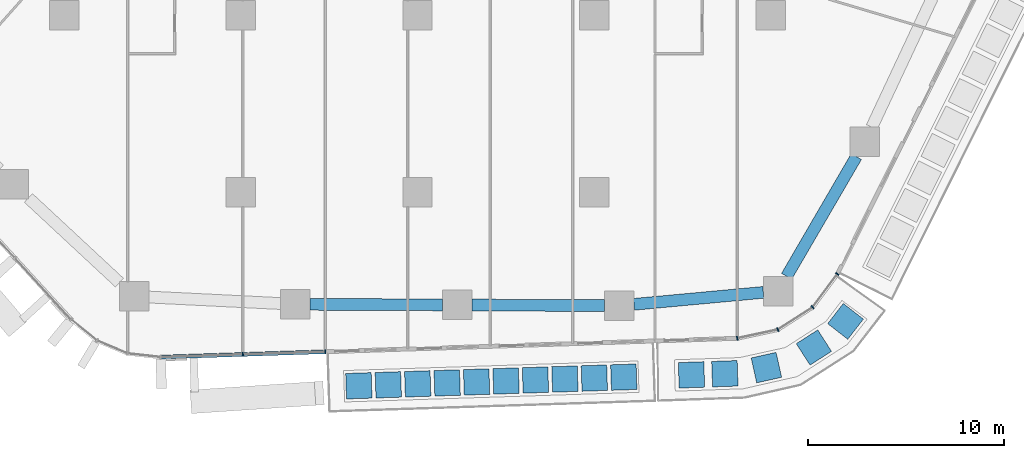
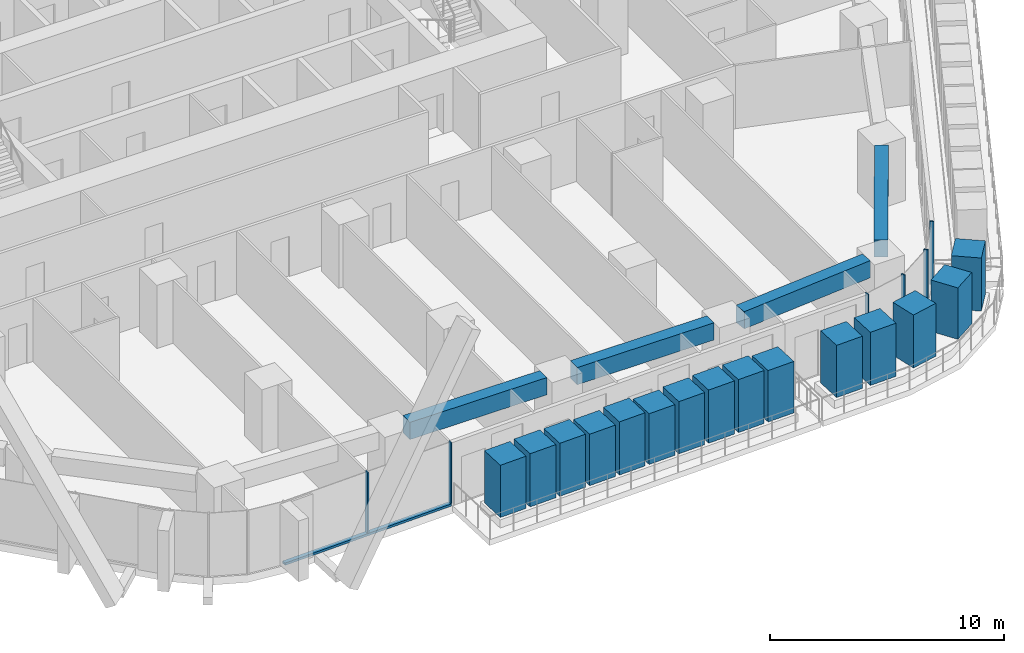
# One storey, part 5 of 27: 22 members, 4 beams, 2 elements without a shape of their own.
"""IFC4 building model written with IfcOpenShell, lengths in metres."""

import ifcopenshell
import ifcopenshell.guid

model = None  # the IFC model being written
_history = None  # IfcOwnerHistory: only IFC2X3 demands one
_inside = {}  # id of a spatial element -> (the spatial element, [elements in it])
_under = {}  # id of a project, library or spatial element -> (it, [spatial elements below it])
_declared = {}  # id of a project -> (the project, [libraries it declares])
_typed = {}  # id of a type object -> (the type object, [elements of that type])
_made_of = {}  # id of a material, layer set ... -> (it, [elements and type objects made of it])


def new_model(schema):
    """Start an empty IFC model of exactly this schema.

    Asked for "IFC4X3", IfcOpenShell would pick the latest addendum, in which some entities
    have other attributes; the version numbers below select the first issue.
    IFC2X3 requires an IfcOwnerHistory on every rooted entity: one is made here for all.
    """
    global model, _history
    if schema == "IFC4X3":
        model = ifcopenshell.file(schema_version=(4, 3, 0, 0))
    else:
        model = ifcopenshell.file(schema=schema)
    _inside.clear()
    _under.clear()
    _declared.clear()
    _typed.clear()
    _made_of.clear()
    _history = None
    if model.schema == "IFC2X3":
        org = make("IfcOrganization", Name="unknown")
        user = make(
            "IfcPersonAndOrganization",
            ThePerson=make("IfcPerson", FamilyName="unknown"),
            TheOrganization=org,
        )
        app = make(
            "IfcApplication",
            ApplicationDeveloper=org,
            Version="unknown",
            ApplicationFullName="unknown",
            ApplicationIdentifier="unknown",
        )
        _history = make(
            "IfcOwnerHistory",
            OwningUser=user,
            OwningApplication=app,
            ChangeAction="ADDED",
            CreationDate=0,
        )
    return model


def make(cls, **values):
    """One entity of the class cls with the attributes given. An attribute that is None is left unset."""
    return model.create_entity(
        cls, **{name: value for name, value in values.items() if value is not None}
    )


def rooted(cls, **values):
    """An entity with a GlobalId (a new one), such as an element, a storey or a relation."""
    return make(cls, GlobalId=ifcopenshell.guid.new(), OwnerHistory=_history, **values)


def si_unit(unit_type, name, prefix=None):
    """IfcSIUnit, for example si_unit("LENGTHUNIT", "METRE", prefix="MILLI")."""
    return make("IfcSIUnit", UnitType=unit_type, Prefix=prefix, Name=name)


def assignment(units):
    """IfcUnitAssignment: the units of a project."""
    return None if units is None else make("IfcUnitAssignment", Units=units)


def point(xyz):
    """IfcCartesianPoint."""
    return None if xyz is None else make("IfcCartesianPoint", Coordinates=xyz)


def direction(xyz):
    """IfcDirection."""
    return None if xyz is None else make("IfcDirection", DirectionRatios=xyz)


def frame(location, z_axis=None, x_axis=None):
    """IfcAxis2Placement3D, a coordinate frame: its origin and axes. An axis left out is left unset."""
    return make(
        "IfcAxis2Placement3D",
        Location=point(location),
        Axis=direction(z_axis),
        RefDirection=direction(x_axis),
    )


def frame_2d(location, x_axis=None):
    """IfcAxis2Placement2D, a coordinate frame in the plane: its origin and x axis."""
    return make(
        "IfcAxis2Placement2D", Location=point(location), RefDirection=direction(x_axis)
    )


def origin():
    """The frame at (0, 0, 0) with its axes left unset."""
    return frame((0.0, 0.0, 0.0))


def origin_2d():
    """The frame at (0, 0) in the plane with its x axis left unset."""
    return frame_2d((0.0, 0.0))


def place(relative_to, where):
    """IfcLocalPlacement: puts the frame where relative to a parent placement (None: the world)."""
    return make(
        "IfcLocalPlacement", PlacementRelTo=relative_to, RelativePlacement=where
    )


def context(
    kind, dimensions, precision=None, world=None, true_north=None, identifier=None
):
    """IfcGeometricRepresentationContext, for example the 3D "Model" context."""
    return make(
        "IfcGeometricRepresentationContext",
        ContextIdentifier=identifier,
        ContextType=kind,
        CoordinateSpaceDimension=dimensions,
        Precision=precision,
        WorldCoordinateSystem=world,
        TrueNorth=true_north,
    )


def subcontext(parent, identifier, kind, view, scale=None):
    """IfcGeometricRepresentationSubContext, for example "Body" below "Model"."""
    return make(
        "IfcGeometricRepresentationSubContext",
        ContextIdentifier=identifier,
        ContextType=kind,
        ParentContext=parent,
        TargetScale=scale,
        TargetView=view,
    )


def project(units=None, contexts=None):
    """IfcProject with its units and contexts."""
    return rooted(
        "IfcProject",
        Name="project",
        RepresentationContexts=contexts,
        UnitsInContext=assignment(units),
    )


def spatial(cls, under=None, at=None, **own):
    """A site, building, storey or space (cls), placed at a placement, below another one or the project."""
    s = rooted(cls, ObjectPlacement=at, **own)
    if under is not None:
        _under.setdefault(under.id(), (under, []))[1].append(s)
    return s


def profile(cls, at=None, kind="AREA", **sizes):
    """A parametric profile (cls). Its sizes go by their IFC names, for example OverallWidth=200.0."""
    return make(cls, ProfileType=kind, Position=at, **sizes)


def rectangle(**sizes):
    """IfcRectangleProfileDef."""
    return profile("IfcRectangleProfileDef", **sizes)


def extrude(swept, where, along, depth):
    """IfcExtrudedAreaSolid: the profile swept, set in the frame where, extruded along a direction by depth."""
    return make(
        "IfcExtrudedAreaSolid",
        SweptArea=swept,
        Position=where,
        ExtrudedDirection=direction(along),
        Depth=depth,
    )


def shape(context_of_items, identifier, shape_type, items):
    """IfcShapeRepresentation: the items that make up one representation, for example the "Body"."""
    return make(
        "IfcShapeRepresentation",
        ContextOfItems=context_of_items,
        RepresentationIdentifier=identifier,
        RepresentationType=shape_type,
        Items=items,
    )


def material(Name=None, Category=None):
    """IfcMaterial."""
    return make("IfcMaterial", Name=Name, Category=Category)


def layer(
    of_material, thickness, ventilated=None, Name=None, Category=None, Priority=None
):
    """IfcMaterialLayer: one layer of a wall or slab, of a material (None: an air gap)."""
    return make(
        "IfcMaterialLayer",
        Material=of_material,
        LayerThickness=thickness,
        IsVentilated=ventilated,
        Name=Name,
        Category=Category,
        Priority=Priority,
    )


def layer_set(layers, Name=None):
    """IfcMaterialLayerSet."""
    return make("IfcMaterialLayerSet", MaterialLayers=layers, LayerSetName=Name)


def material_profile(
    of_material, cross_section, Name=None, Category=None, Priority=None
):
    """IfcMaterialProfile: a cross section and its material."""
    return make(
        "IfcMaterialProfile",
        Name=Name,
        Material=of_material,
        Profile=cross_section,
        Priority=Priority,
        Category=Category,
    )


def profile_set(profiles, Name=None, composite=None):
    """IfcMaterialProfileSet."""
    return make(
        "IfcMaterialProfileSet",
        Name=Name,
        MaterialProfiles=profiles,
        CompositeProfile=composite,
    )


def made_of(thing, what):
    """Note that an element or type object is made of a material, layer set ...; save() writes the relation."""
    if what is not None:
        _made_of.setdefault(what.id(), (what, []))[1].append(thing)
    return thing


def type_object(cls, material=None, **own):
    """A type object (cls), such as IfcWallType, which elements share."""
    return made_of(rooted(cls, **own), material)


def element(
    cls,
    number,
    at=None,
    inside=None,
    cuts=None,
    type_object=None,
    material=None,
    context=None,
    identifier="Body",
    shape_type=None,
    held_by="IfcProductDefinitionShape",
    body=None,
    shapes=None,
    **own,
):
    """One element of the class cls, such as IfcWall. Its Tag is "e" and its number.

    at: its placement. inside: the storey or other place that contains it. cuts: it is an
    opening in that element (IfcRelVoidsElement). A single representation is given by context,
    identifier, shape_type and body (its items); several are given by shapes. held_by: the class
    of the entity that holds the representations. save() writes the other relations.
    """
    e = rooted(cls, Tag="e%d" % number, ObjectPlacement=at, **own)
    if body is not None:
        shapes = [shape(context, identifier, shape_type, body)]
    if shapes is not None:
        e.Representation = make(held_by, Representations=shapes)
    if inside is not None:
        _inside.setdefault(inside.id(), (inside, []))[1].append(e)
    if cuts is not None:
        rooted(
            "IfcRelVoidsElement", RelatingBuildingElement=cuts, RelatedOpeningElement=e
        )
    if type_object is not None:
        _typed.setdefault(type_object.id(), (type_object, []))[1].append(e)
    return made_of(e, material)


def aggregate(whole, parts):
    """IfcRelAggregates: a whole, such as a stair, and the parts it consists of."""
    return rooted("IfcRelAggregates", RelatingObject=whole, RelatedObjects=parts)


def save(model, path):
    """Write the relations noted so far, then the file.

    IfcRelAggregates (storeys below a building ...), IfcRelContainedInSpatialStructure (elements
    in a storey), IfcRelDefinesByType, IfcRelAssociatesMaterial and IfcRelDeclares: one each for
    every whole, place, type object, material and project.
    """
    for whole, parts in _under.values():
        aggregate(whole, parts)
    for where, things in _inside.values():
        rooted(
            "IfcRelContainedInSpatialStructure",
            RelatedElements=things,
            RelatingStructure=where,
        )
    for kind, things in _typed.values():
        rooted("IfcRelDefinesByType", RelatedObjects=things, RelatingType=kind)
    for what, things in _made_of.values():
        rooted("IfcRelAssociatesMaterial", RelatedObjects=things, RelatingMaterial=what)
    for by, libraries in _declared.values():
        rooted("IfcRelDeclares", RelatingContext=by, RelatedDefinitions=libraries)
    model.write(path)


model = new_model("IFC4")

# Units and contexts
model_context = context("Model", 3, precision=1e-05, world=origin(), true_north=direction((0.0, 1.0)))
body_context = subcontext(model_context, "Body", "Model", "MODEL_VIEW")
ifc_project = project(units=[si_unit("LENGTHUNIT", "METRE"), si_unit("AREAUNIT", "SQUARE_METRE"), si_unit("VOLUMEUNIT", "CUBIC_METRE"), si_unit("PLANEANGLEUNIT", "RADIAN"), si_unit("MASSUNIT", "GRAM", prefix="KILO")], contexts=[model_context])

# Site, building, storey
site_placement = place(None, origin())
site = spatial("IfcSite", under=ifc_project, at=site_placement, CompositionType="ELEMENT")
building_placement = place(site_placement, origin())
building = spatial("IfcBuilding", under=site, at=building_placement, Name="Dongbaek Canopy Tower", CompositionType="ELEMENT")
storey_placement = place(building_placement, frame((0.0, 0.0, 62.5)))
storey = spatial("IfcBuildingStorey", under=building, at=storey_placement, Name="L11", CompositionType="ELEMENT", Elevation=62.5)

# Curtain wall, members
ifc_material_1 = material(Name="Aluminium 6063-T6 pale anodised", Category="aluminium")
ifc_layer = layer(ifc_material_1, 0.199951171875)
ifc_layer_set = layer_set([ifc_layer], Name="CW-1 unitised tower curtain wall")
curtain_wall_type = type_object("IfcCurtainWallType", Name="CW-1 unitised tower curtain wall", PredefinedType="NOTDEFINED", material=ifc_layer_set)
curtain_wall_1_placement = place(storey_placement, origin())
curtain_wall_1 = element("IfcCurtainWall", 1, at=curtain_wall_1_placement, inside=storey, type_object=curtain_wall_type, Name="CW-1 curtain wall F4.1", PredefinedType="NOTDEFINED")
ifc_material_2 = material(Name="Aluminium 6063-T6 pale anodised", Category="aluminium")
ifc_material_profile_1 = material_profile(ifc_material_2, rectangle(XDim=0.199951171875, YDim=0.06005859375, at=origin_2d()), Name="CW-1 mullion 60 x 200")
ifc_profile_set_1 = profile_set([ifc_material_profile_1], Name="Aluminium 6063-T6 pale anodised")
member_type_1 = type_object("IfcMemberType", Name="CW-1 mullion 60 x 200", PredefinedType="MULLION", material=ifc_profile_set_1)
member_1_placement = place(storey_placement, frame((-8.895263671875, -35.27294921875, 0.1201171875), z_axis=(0.0, 0.0, 1.0), x_axis=(0.032645591573, -0.999466990626, 0.0)))
member_1 = element("IfcMember", 2, at=member_1_placement, type_object=member_type_1, Name="CW-1 mullion F4.1.2", PredefinedType="MULLION", context=body_context, shape_type="SweptSolid", body=[
    extrude(rectangle(XDim=0.199951171875, YDim=0.06005859375, at=origin_2d()), origin(), (0.0, 0.0, 1.0), 3.179931640625),
])
member_2_placement = place(storey_placement, frame((-4.696533203125, -35.1357421875, 0.1201171875), z_axis=(0.0, 0.0, 1.0), x_axis=(0.032645591573, -0.999466990626, 0.0)))
member_2 = element("IfcMember", 3, at=member_2_placement, type_object=member_type_1, Name="CW-1 mullion F4.1.3", PredefinedType="MULLION", context=body_context, shape_type="SweptSolid", body=[
    extrude(rectangle(XDim=0.199951171875, YDim=0.06005859375, at=origin_2d()), origin(), (0.0, 0.0, 1.0), 3.179931640625),
])

curtain_wall_2_placement = place(storey_placement, origin())
curtain_wall_2 = element("IfcCurtainWall", 4, at=curtain_wall_2_placement, inside=storey, type_object=curtain_wall_type, Name="CW-1 curtain wall K5.1", PredefinedType="NOTDEFINED")
member_3_placement = place(storey_placement, frame((16.28857421875, -34.450439453125, 0.0), z_axis=(0.0, 0.0, 1.0), x_axis=(0.210435377636, -0.977607769936, 0.0)))
member_3 = element("IfcMember", 5, at=member_3_placement, type_object=member_type_1, Name="CW-1 mullion K5.1.1", PredefinedType="MULLION", context=body_context, shape_type="SweptSolid", body=[
    extrude(rectangle(XDim=0.199951171875, YDim=0.06005859375, at=origin_2d()), origin(), (0.0, 0.0, 1.0), 3.300048828125),
])
member_4_placement = place(storey_placement, frame((18.35498046875, -34.005615234375, 0.0), z_axis=(0.0, 0.0, 1.0), x_axis=(0.381472916659, -0.924380015933, 0.0)))
member_4 = element("IfcMember", 6, at=member_4_placement, type_object=member_type_1, Name="CW-1 mullion K5.1.2", PredefinedType="MULLION", context=body_context, shape_type="SweptSolid", body=[
    extrude(rectangle(XDim=0.199951171875, YDim=0.06005859375, at=origin_2d()), origin(), (0.0, 0.0, 1.0), 3.300048828125),
])
member_5_placement = place(storey_placement, frame((20.1259765625, -32.86865234375, 0.0), z_axis=(0.0, 0.0, 1.0), x_axis=(0.681731660666, -0.731602311947, 0.0)))
member_5 = element("IfcMember", 7, at=member_5_placement, type_object=member_type_1, Name="CW-1 mullion K5.1.3", PredefinedType="MULLION", context=body_context, shape_type="SweptSolid", body=[
    extrude(rectangle(XDim=0.199951171875, YDim=0.06005859375, at=origin_2d()), origin(), (0.0, 0.0, 1.0), 3.300048828125),
])
member_6_placement = place(storey_placement, frame((21.390625, -31.1748046875, 0.0), z_axis=(0.0, 0.0, 1.0), x_axis=(0.801318453228, -0.598238026638, 0.0)))
member_6 = element("IfcMember", 8, at=member_6_placement, type_object=member_type_1, Name="CW-1 mullion K5.1.4", PredefinedType="MULLION", context=body_context, shape_type="SweptSolid", body=[
    extrude(rectangle(XDim=0.199951171875, YDim=0.06005859375, at=origin_2d()), origin(), (0.0, 0.0, 1.0), 3.300048828125),
])
aggregate(curtain_wall_2, [member_3, member_4, member_5, member_6])

# Member
ifc_material_3 = material(Name="Aluminium 6063-T6 pale anodised", Category="aluminium")
ifc_material_profile_2 = material_profile(ifc_material_3, rectangle(XDim=0.199951171875, YDim=0.1201171875, at=origin_2d()), Name="CW-1 transom 120 x 200")
ifc_profile_set_2 = profile_set([ifc_material_profile_2], Name="Aluminium 6063-T6 pale anodised")
member_type_2 = type_object("IfcMemberType", Name="CW-1 transom 120 x 200", PredefinedType="USERDEFINED", material=ifc_profile_set_2)
member_7_placement = place(storey_placement, frame((-13.0869140625, -35.409912109375, 0.06005859375), z_axis=(0.999466543947, 0.032659264086, 0.0), x_axis=(-0.032659264086, 0.999466543947, 0.0)))
member_7 = element("IfcMember", 9, at=member_7_placement, type_object=member_type_2, Name="CW-1 transom F4.1.1", ObjectType="TRANSOM", PredefinedType="USERDEFINED", context=body_context, shape_type="SweptSolid", body=[
    extrude(rectangle(XDim=0.199951171875, YDim=0.1201171875, at=origin_2d()), origin(), (0.0, 0.0, 1.0), 8.394775390625),
])

aggregate(curtain_wall_1, [member_1, member_2, member_7])

# Beams
ifc_material_4 = material(Name="Concrete C80", Category="concrete")
ifc_material_profile_3 = material_profile(ifc_material_4, rectangle(XDim=0.60009765625, YDim=0.89990234375, at=origin_2d()), Name="RC EDGE BEAM 600x900 C80")
ifc_profile_set_3 = profile_set([ifc_material_profile_3], Name="Concrete C80")
beam_type = type_object("IfcBeamType", Name="RC EDGE BEAM 600x900 C80", PredefinedType="BEAM", material=ifc_profile_set_3)
beam_1_placement = place(storey_placement, frame((17.617919921875, -32.1123046875, 2.85009765625), z_axis=(-0.995766471257, -0.091919174929, 0.0), x_axis=(0.091919174929, -0.995766471257, 0.0)))
element("IfcBeam", 10, at=beam_1_placement, inside=storey, type_object=beam_type, Name="EDGEBEAM:L11:00", PredefinedType="BEAM", context=body_context, shape_type="SweptSolid", body=[
    extrude(rectangle(XDim=0.60009765625, YDim=0.89990234375, at=origin_2d()), origin(), (0.0, 0.0, 1.0), 6.618896484375),
])
beam_2_placement = place(storey_placement, frame((9.527099609375, -32.78662109375, 2.85009765625), z_axis=(-0.999989942747, 0.004484908597, 0.0), x_axis=(-0.004484908597, -0.999989942747, 0.0)))
element("IfcBeam", 11, at=beam_2_placement, inside=storey, type_object=beam_type, Name="EDGEBEAM:L11:01", PredefinedType="BEAM", context=body_context, shape_type="SweptSolid", body=[
    extrude(rectangle(XDim=0.60009765625, YDim=0.89990234375, at=origin_2d()), origin(), (0.0, 0.0, 1.0), 6.75),
])
beam_3_placement = place(storey_placement, frame((1.277099609375, -32.749755859375, 2.85009765625), z_axis=(-0.999990420723, 0.004377038088, 0.0), x_axis=(-0.004377038088, -0.999990420723, 0.0)))
element("IfcBeam", 12, at=beam_3_placement, inside=storey, type_object=beam_type, Name="EDGEBEAM:L11:02", PredefinedType="BEAM", context=body_context, shape_type="SweptSolid", body=[
    extrude(rectangle(XDim=0.60009765625, YDim=0.89990234375, at=origin_2d()), origin(), (0.0, 0.0, 1.0), 6.7490234375),
])
beam_4_placement = place(storey_placement, frame((22.35546875, -25.193115234375, 2.85009765625), z_axis=(-0.503081510817, -0.864238967806, 0.0), x_axis=(0.864238967806, -0.503081510817, 0.0)))
element("IfcBeam", 13, at=beam_4_placement, inside=storey, type_object=beam_type, Name="EDGEBEAM:L11:25", PredefinedType="BEAM", context=body_context, shape_type="SweptSolid", body=[
    extrude(rectangle(XDim=0.60009765625, YDim=0.89990234375, at=origin_2d()), origin(), (0.0, 0.0, 1.0), 7.05810546875),
])

# Members
ifc_material_5 = material(Name="Concrete C40/50 planter mass with planting", Category="concrete")
ifc_material_profile_4 = material_profile(ifc_material_5, rectangle(XDim=1.300048828125, YDim=1.300048828125, at=origin_2d()), Name="Terrace PLANTER shrub mass 1300 x 1300")
ifc_profile_set_4 = profile_set([ifc_material_profile_4], Name="Concrete C40/50 planter mass with planting")
member_type_3 = type_object("IfcMemberType", Name="Terrace PLANTER shrub mass 1300 x 1300", PredefinedType="USERDEFINED", material=ifc_profile_set_4)
member_8_placement = place(storey_placement, frame((-2.98876953125, -36.87109375, 0.419921875), z_axis=(0.0, 0.0, 1.0), x_axis=(0.032645591573, -0.999466990626, 0.0)))
element("IfcMember", 14, at=member_8_placement, inside=storey, type_object=member_type_3, Name="Planter shrubs L11 4.1", ObjectType="PLANTER", PredefinedType="USERDEFINED", context=body_context, shape_type="SweptSolid", body=[
    extrude(rectangle(XDim=1.300048828125, YDim=1.300048828125, at=origin_2d()), origin(), (0.0, 0.0, 1.0), 2.72998046875),
])
member_9_placement = place(storey_placement, frame((-1.489013671875, -36.822021484375, 0.419921875), z_axis=(0.0, 0.0, 1.0), x_axis=(0.032645591573, -0.999466990626, 0.0)))
element("IfcMember", 15, at=member_9_placement, inside=storey, type_object=member_type_3, Name="Planter shrubs L11 4.2", ObjectType="PLANTER", PredefinedType="USERDEFINED", context=body_context, shape_type="SweptSolid", body=[
    extrude(rectangle(XDim=1.300048828125, YDim=1.300048828125, at=origin_2d()), origin(), (0.0, 0.0, 1.0), 2.780029296875),
])
member_10_placement = place(storey_placement, frame((0.010498046875, -36.77294921875, 0.419921875), z_axis=(0.0, 0.0, 1.0), x_axis=(0.032645591573, -0.999466990626, 0.0)))
element("IfcMember", 16, at=member_10_placement, inside=storey, type_object=member_type_3, Name="Planter shrubs L11 4.3", ObjectType="PLANTER", PredefinedType="USERDEFINED", context=body_context, shape_type="SweptSolid", body=[
    extrude(rectangle(XDim=1.300048828125, YDim=1.300048828125, at=origin_2d()), origin(), (0.0, 0.0, 1.0), 2.77001953125),
])
member_11_placement = place(storey_placement, frame((1.51025390625, -36.72412109375, 0.419921875), z_axis=(0.0, 0.0, 1.0), x_axis=(0.032645591573, -0.999466990626, 0.0)))
element("IfcMember", 17, at=member_11_placement, inside=storey, type_object=member_type_3, Name="Planter shrubs L11 4.4", ObjectType="PLANTER", PredefinedType="USERDEFINED", context=body_context, shape_type="SweptSolid", body=[
    extrude(rectangle(XDim=1.300048828125, YDim=1.300048828125, at=origin_2d()), origin(), (0.0, 0.0, 1.0), 2.690185546875),
])
member_12_placement = place(storey_placement, frame((3.009765625, -36.675048828125, 0.419921875), z_axis=(0.0, 0.0, 1.0), x_axis=(0.032645591573, -0.999466990626, 0.0)))
element("IfcMember", 18, at=member_12_placement, inside=storey, type_object=member_type_3, Name="Planter shrubs L11 4.5", ObjectType="PLANTER", PredefinedType="USERDEFINED", context=body_context, shape_type="SweptSolid", body=[
    extrude(rectangle(XDim=1.300048828125, YDim=1.300048828125, at=origin_2d()), origin(), (0.0, 0.0, 1.0), 2.780029296875),
])
member_13_placement = place(storey_placement, frame((4.50927734375, -36.626220703125, 0.419921875), z_axis=(0.0, 0.0, 1.0), x_axis=(0.032645591573, -0.999466990626, 0.0)))
element("IfcMember", 19, at=member_13_placement, inside=storey, type_object=member_type_3, Name="Planter shrubs L11 4.6", ObjectType="PLANTER", PredefinedType="USERDEFINED", context=body_context, shape_type="SweptSolid", body=[
    extrude(rectangle(XDim=1.300048828125, YDim=1.300048828125, at=origin_2d()), origin(), (0.0, 0.0, 1.0), 2.650146484375),
])
member_14_placement = place(storey_placement, frame((6.009033203125, -36.5771484375, 0.419921875), z_axis=(0.0, 0.0, 1.0), x_axis=(0.032645591573, -0.999466990626, 0.0)))
element("IfcMember", 20, at=member_14_placement, inside=storey, type_object=member_type_3, Name="Planter shrubs L11 4.7", ObjectType="PLANTER", PredefinedType="USERDEFINED", context=body_context, shape_type="SweptSolid", body=[
    extrude(rectangle(XDim=1.300048828125, YDim=1.300048828125, at=origin_2d()), origin(), (0.0, 0.0, 1.0), 2.72998046875),
])
member_15_placement = place(storey_placement, frame((7.508544921875, -36.528076171875, 0.419921875), z_axis=(0.0, 0.0, 1.0), x_axis=(0.032645591573, -0.999466990626, 0.0)))
element("IfcMember", 21, at=member_15_placement, inside=storey, type_object=member_type_3, Name="Planter shrubs L11 4.8", ObjectType="PLANTER", PredefinedType="USERDEFINED", context=body_context, shape_type="SweptSolid", body=[
    extrude(rectangle(XDim=1.300048828125, YDim=1.300048828125, at=origin_2d()), origin(), (0.0, 0.0, 1.0), 2.780029296875),
])
member_16_placement = place(storey_placement, frame((9.00830078125, -36.479248046875, 0.419921875), z_axis=(0.0, 0.0, 1.0), x_axis=(0.032645591573, -0.999466990626, 0.0)))
element("IfcMember", 22, at=member_16_placement, inside=storey, type_object=member_type_3, Name="Planter shrubs L11 4.9", ObjectType="PLANTER", PredefinedType="USERDEFINED", context=body_context, shape_type="SweptSolid", body=[
    extrude(rectangle(XDim=1.300048828125, YDim=1.300048828125, at=origin_2d()), origin(), (0.0, 0.0, 1.0), 2.77001953125),
])
member_17_placement = place(storey_placement, frame((10.5078125, -36.43017578125, 0.419921875), z_axis=(0.0, 0.0, 1.0), x_axis=(0.032645591573, -0.999466990626, 0.0)))
element("IfcMember", 23, at=member_17_placement, inside=storey, type_object=member_type_3, Name="Planter shrubs L11 4.10", ObjectType="PLANTER", PredefinedType="USERDEFINED", context=body_context, shape_type="SweptSolid", body=[
    extrude(rectangle(XDim=1.300048828125, YDim=1.300048828125, at=origin_2d()), origin(), (0.0, 0.0, 1.0), 2.690185546875),
])
member_18_placement = place(storey_placement, frame((13.956787109375, -36.31591796875, 0.419921875), z_axis=(0.0, 0.0, 1.0), x_axis=(0.034640711446, -0.999399830454, 0.0)))
element("IfcMember", 24, at=member_18_placement, inside=storey, type_object=member_type_3, Name="Planter shrubs L11 8.1", ObjectType="PLANTER", PredefinedType="USERDEFINED", context=body_context, shape_type="SweptSolid", body=[
    extrude(rectangle(XDim=1.300048828125, YDim=1.300048828125, at=origin_2d()), origin(), (0.0, 0.0, 1.0), 2.72998046875),
])
member_19_placement = place(storey_placement, frame((15.656982421875, -36.2568359375, 0.419921875), z_axis=(0.0, 0.0, 1.0), x_axis=(0.034640711446, -0.999399830454, 0.0)))
element("IfcMember", 25, at=member_19_placement, inside=storey, type_object=member_type_3, Name="Planter shrubs L11 8.2", ObjectType="PLANTER", PredefinedType="USERDEFINED", context=body_context, shape_type="SweptSolid", body=[
    extrude(rectangle(XDim=1.300048828125, YDim=1.300048828125, at=origin_2d()), origin(), (0.0, 0.0, 1.0), 2.780029296875),
])
member_20_placement = place(storey_placement, frame((17.772705078125, -35.944580078125, 0.419921875), z_axis=(0.0, 0.0, 1.0), x_axis=(0.218087962412, -0.975929116612, 0.0)))
element("IfcMember", 26, at=member_20_placement, inside=storey, type_object=member_type_3, Name="Planter shrubs L11 8.3", ObjectType="PLANTER", PredefinedType="USERDEFINED", context=body_context, shape_type="SweptSolid", body=[
    extrude(rectangle(XDim=1.300048828125, YDim=1.300048828125, at=origin_2d()), origin(), (0.0, 0.0, 1.0), 2.77001953125),
])
member_21_placement = place(storey_placement, frame((20.19287109375, -34.92041015625, 0.419921875), z_axis=(0.0, 0.0, 1.0), x_axis=(0.54027012142, -0.841491649335, 0.0)))
element("IfcMember", 27, at=member_21_placement, inside=storey, type_object=member_type_3, Name="Planter shrubs L11 8.4", ObjectType="PLANTER", PredefinedType="USERDEFINED", context=body_context, shape_type="SweptSolid", body=[
    extrude(rectangle(XDim=1.300048828125, YDim=1.300048828125, at=origin_2d()), origin(), (0.0, 0.0, 1.0), 2.690185546875),
])
member_22_placement = place(storey_placement, frame((21.8046875, -33.58935546875, 0.419921875), z_axis=(0.0, 0.0, 1.0), x_axis=(0.790319504044, -0.612694933493, 0.0)))
element("IfcMember", 28, at=member_22_placement, inside=storey, type_object=member_type_3, Name="Planter shrubs L11 8.5", ObjectType="PLANTER", PredefinedType="USERDEFINED", context=body_context, shape_type="SweptSolid", body=[
    extrude(rectangle(XDim=1.300048828125, YDim=1.300048828125, at=origin_2d()), origin(), (0.0, 0.0, 1.0), 2.780029296875),
])

save(model, "model.ifc")
